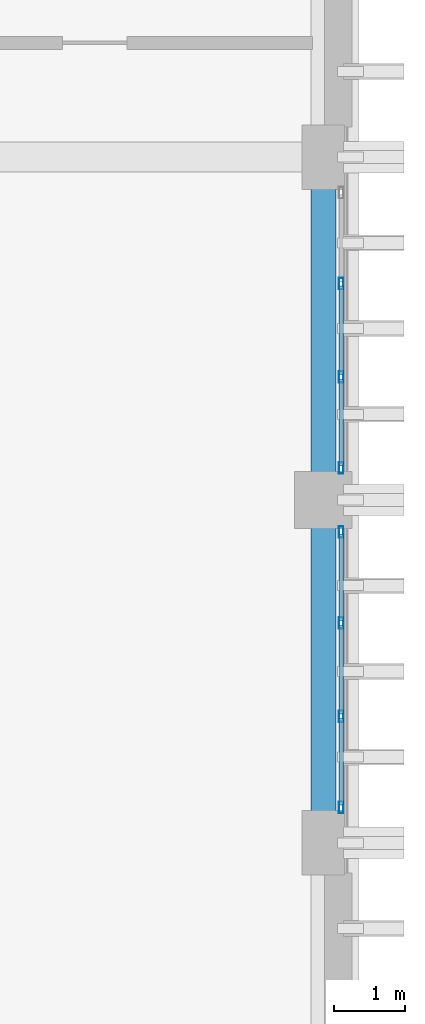
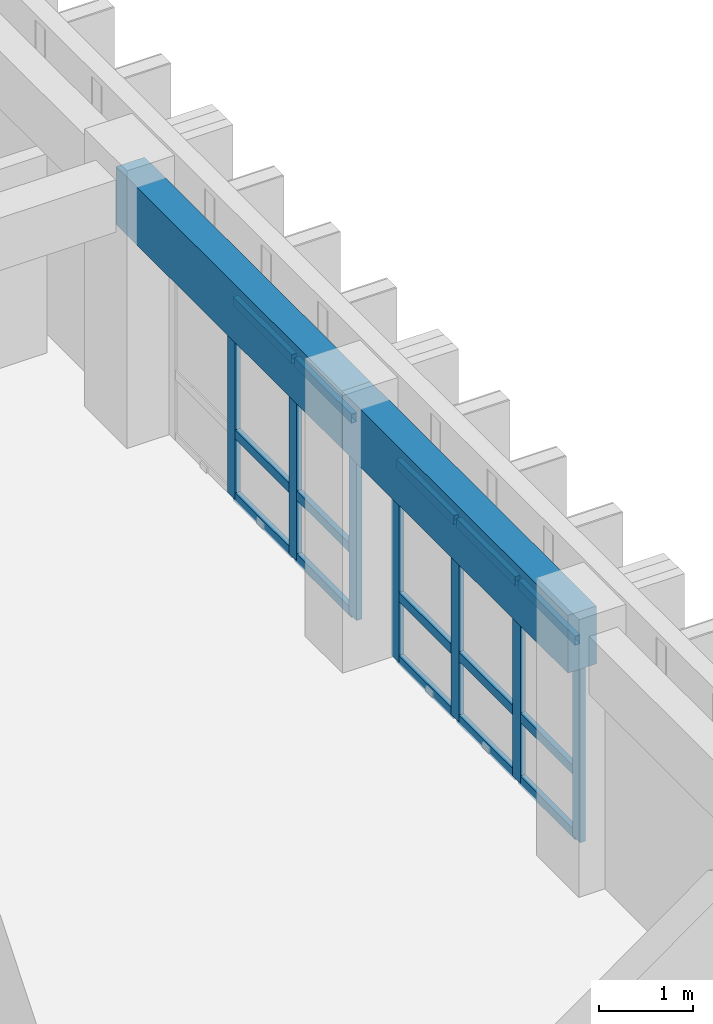
# One storey, part 12 of 82: 22 members, 2 beams, 2 elements without a shape of their own.
"""IFC4 building model written with IfcOpenShell, lengths in metres."""

import ifcopenshell
import ifcopenshell.guid

model = None  # the IFC model being written
_history = None  # IfcOwnerHistory: only IFC2X3 demands one
_inside = {}  # id of a spatial element -> (the spatial element, [elements in it])
_under = {}  # id of a project, library or spatial element -> (it, [spatial elements below it])
_declared = {}  # id of a project -> (the project, [libraries it declares])
_typed = {}  # id of a type object -> (the type object, [elements of that type])
_made_of = {}  # id of a material, layer set ... -> (it, [elements and type objects made of it])


def new_model(schema):
    """Start an empty IFC model of exactly this schema.

    Asked for "IFC4X3", IfcOpenShell would pick the latest addendum, in which some entities
    have other attributes; the version numbers below select the first issue.
    IFC2X3 requires an IfcOwnerHistory on every rooted entity: one is made here for all.
    """
    global model, _history
    if schema == "IFC4X3":
        model = ifcopenshell.file(schema_version=(4, 3, 0, 0))
    else:
        model = ifcopenshell.file(schema=schema)
    _inside.clear()
    _under.clear()
    _declared.clear()
    _typed.clear()
    _made_of.clear()
    _history = None
    if model.schema == "IFC2X3":
        org = make("IfcOrganization", Name="unknown")
        user = make(
            "IfcPersonAndOrganization",
            ThePerson=make("IfcPerson", FamilyName="unknown"),
            TheOrganization=org,
        )
        app = make(
            "IfcApplication",
            ApplicationDeveloper=org,
            Version="unknown",
            ApplicationFullName="unknown",
            ApplicationIdentifier="unknown",
        )
        _history = make(
            "IfcOwnerHistory",
            OwningUser=user,
            OwningApplication=app,
            ChangeAction="ADDED",
            CreationDate=0,
        )
    return model


def make(cls, **values):
    """One entity of the class cls with the attributes given. An attribute that is None is left unset."""
    return model.create_entity(
        cls, **{name: value for name, value in values.items() if value is not None}
    )


def rooted(cls, **values):
    """An entity with a GlobalId (a new one), such as an element, a storey or a relation."""
    return make(cls, GlobalId=ifcopenshell.guid.new(), OwnerHistory=_history, **values)


def si_unit(unit_type, name, prefix=None):
    """IfcSIUnit, for example si_unit("LENGTHUNIT", "METRE", prefix="MILLI")."""
    return make("IfcSIUnit", UnitType=unit_type, Prefix=prefix, Name=name)


def assignment(units):
    """IfcUnitAssignment: the units of a project."""
    return None if units is None else make("IfcUnitAssignment", Units=units)


def point(xyz):
    """IfcCartesianPoint."""
    return None if xyz is None else make("IfcCartesianPoint", Coordinates=xyz)


def direction(xyz):
    """IfcDirection."""
    return None if xyz is None else make("IfcDirection", DirectionRatios=xyz)


def frame(location, z_axis=None, x_axis=None):
    """IfcAxis2Placement3D, a coordinate frame: its origin and axes. An axis left out is left unset."""
    return make(
        "IfcAxis2Placement3D",
        Location=point(location),
        Axis=direction(z_axis),
        RefDirection=direction(x_axis),
    )


def frame_2d(location, x_axis=None):
    """IfcAxis2Placement2D, a coordinate frame in the plane: its origin and x axis."""
    return make(
        "IfcAxis2Placement2D", Location=point(location), RefDirection=direction(x_axis)
    )


def origin():
    """The frame at (0, 0, 0) with its axes left unset."""
    return frame((0.0, 0.0, 0.0))


def origin_2d():
    """The frame at (0, 0) in the plane with its x axis left unset."""
    return frame_2d((0.0, 0.0))


def place(relative_to, where):
    """IfcLocalPlacement: puts the frame where relative to a parent placement (None: the world)."""
    return make(
        "IfcLocalPlacement", PlacementRelTo=relative_to, RelativePlacement=where
    )


def context(
    kind, dimensions, precision=None, world=None, true_north=None, identifier=None
):
    """IfcGeometricRepresentationContext, for example the 3D "Model" context."""
    return make(
        "IfcGeometricRepresentationContext",
        ContextIdentifier=identifier,
        ContextType=kind,
        CoordinateSpaceDimension=dimensions,
        Precision=precision,
        WorldCoordinateSystem=world,
        TrueNorth=true_north,
    )


def subcontext(parent, identifier, kind, view, scale=None):
    """IfcGeometricRepresentationSubContext, for example "Body" below "Model"."""
    return make(
        "IfcGeometricRepresentationSubContext",
        ContextIdentifier=identifier,
        ContextType=kind,
        ParentContext=parent,
        TargetScale=scale,
        TargetView=view,
    )


def project(units=None, contexts=None):
    """IfcProject with its units and contexts."""
    return rooted(
        "IfcProject",
        Name="project",
        RepresentationContexts=contexts,
        UnitsInContext=assignment(units),
    )


def spatial(cls, under=None, at=None, **own):
    """A site, building, storey or space (cls), placed at a placement, below another one or the project."""
    s = rooted(cls, ObjectPlacement=at, **own)
    if under is not None:
        _under.setdefault(under.id(), (under, []))[1].append(s)
    return s


def profile(cls, at=None, kind="AREA", **sizes):
    """A parametric profile (cls). Its sizes go by their IFC names, for example OverallWidth=200.0."""
    return make(cls, ProfileType=kind, Position=at, **sizes)


def rectangle(**sizes):
    """IfcRectangleProfileDef."""
    return profile("IfcRectangleProfileDef", **sizes)


def hollow_rectangle(**sizes):
    """IfcRectangleHollowProfileDef."""
    return profile("IfcRectangleHollowProfileDef", **sizes)


def extrude(swept, where, along, depth):
    """IfcExtrudedAreaSolid: the profile swept, set in the frame where, extruded along a direction by depth."""
    return make(
        "IfcExtrudedAreaSolid",
        SweptArea=swept,
        Position=where,
        ExtrudedDirection=direction(along),
        Depth=depth,
    )


def shape(context_of_items, identifier, shape_type, items):
    """IfcShapeRepresentation: the items that make up one representation, for example the "Body"."""
    return make(
        "IfcShapeRepresentation",
        ContextOfItems=context_of_items,
        RepresentationIdentifier=identifier,
        RepresentationType=shape_type,
        Items=items,
    )


def material(Name=None, Category=None):
    """IfcMaterial."""
    return make("IfcMaterial", Name=Name, Category=Category)


def layer(
    of_material, thickness, ventilated=None, Name=None, Category=None, Priority=None
):
    """IfcMaterialLayer: one layer of a wall or slab, of a material (None: an air gap)."""
    return make(
        "IfcMaterialLayer",
        Material=of_material,
        LayerThickness=thickness,
        IsVentilated=ventilated,
        Name=Name,
        Category=Category,
        Priority=Priority,
    )


def layer_set(layers, Name=None):
    """IfcMaterialLayerSet."""
    return make("IfcMaterialLayerSet", MaterialLayers=layers, LayerSetName=Name)


def material_profile(
    of_material, cross_section, Name=None, Category=None, Priority=None
):
    """IfcMaterialProfile: a cross section and its material."""
    return make(
        "IfcMaterialProfile",
        Name=Name,
        Material=of_material,
        Profile=cross_section,
        Priority=Priority,
        Category=Category,
    )


def profile_set(profiles, Name=None, composite=None):
    """IfcMaterialProfileSet."""
    return make(
        "IfcMaterialProfileSet",
        Name=Name,
        MaterialProfiles=profiles,
        CompositeProfile=composite,
    )


def made_of(thing, what):
    """Note that an element or type object is made of a material, layer set ...; save() writes the relation."""
    if what is not None:
        _made_of.setdefault(what.id(), (what, []))[1].append(thing)
    return thing


def type_object(cls, material=None, **own):
    """A type object (cls), such as IfcWallType, which elements share."""
    return made_of(rooted(cls, **own), material)


def element(
    cls,
    number,
    at=None,
    inside=None,
    cuts=None,
    type_object=None,
    material=None,
    context=None,
    identifier="Body",
    shape_type=None,
    held_by="IfcProductDefinitionShape",
    body=None,
    shapes=None,
    **own,
):
    """One element of the class cls, such as IfcWall. Its Tag is "e" and its number.

    at: its placement. inside: the storey or other place that contains it. cuts: it is an
    opening in that element (IfcRelVoidsElement). A single representation is given by context,
    identifier, shape_type and body (its items); several are given by shapes. held_by: the class
    of the entity that holds the representations. save() writes the other relations.
    """
    e = rooted(cls, Tag="e%d" % number, ObjectPlacement=at, **own)
    if body is not None:
        shapes = [shape(context, identifier, shape_type, body)]
    if shapes is not None:
        e.Representation = make(held_by, Representations=shapes)
    if inside is not None:
        _inside.setdefault(inside.id(), (inside, []))[1].append(e)
    if cuts is not None:
        rooted(
            "IfcRelVoidsElement", RelatingBuildingElement=cuts, RelatedOpeningElement=e
        )
    if type_object is not None:
        _typed.setdefault(type_object.id(), (type_object, []))[1].append(e)
    return made_of(e, material)


def aggregate(whole, parts):
    """IfcRelAggregates: a whole, such as a stair, and the parts it consists of."""
    return rooted("IfcRelAggregates", RelatingObject=whole, RelatedObjects=parts)


def save(model, path):
    """Write the relations noted so far, then the file.

    IfcRelAggregates (storeys below a building ...), IfcRelContainedInSpatialStructure (elements
    in a storey), IfcRelDefinesByType, IfcRelAssociatesMaterial and IfcRelDeclares: one each for
    every whole, place, type object, material and project.
    """
    for whole, parts in _under.values():
        aggregate(whole, parts)
    for where, things in _inside.values():
        rooted(
            "IfcRelContainedInSpatialStructure",
            RelatedElements=things,
            RelatingStructure=where,
        )
    for kind, things in _typed.values():
        rooted("IfcRelDefinesByType", RelatedObjects=things, RelatingType=kind)
    for what, things in _made_of.values():
        rooted("IfcRelAssociatesMaterial", RelatedObjects=things, RelatingMaterial=what)
    for by, libraries in _declared.values():
        rooted("IfcRelDeclares", RelatingContext=by, RelatedDefinitions=libraries)
    model.write(path)


model = new_model("IFC4")

# Units and contexts
model_context = context("Model", 3, precision=1e-05, world=origin(), true_north=direction((0.0, 1.0)))
body_context = subcontext(model_context, "Body", "Model", "MODEL_VIEW")
ifc_project = project(units=[si_unit("LENGTHUNIT", "METRE"), si_unit("AREAUNIT", "SQUARE_METRE"), si_unit("VOLUMEUNIT", "CUBIC_METRE"), si_unit("PLANEANGLEUNIT", "RADIAN"), si_unit("MASSUNIT", "GRAM", prefix="KILO")], contexts=[model_context])

# Site, building, storey
site_placement = place(None, origin())
site = spatial("IfcSite", under=ifc_project, at=site_placement, CompositionType="ELEMENT")
building_placement = place(site_placement, origin())
building = spatial("IfcBuilding", under=site, at=building_placement, Name="Nakhvara Creek Congress Hotel", CompositionType="ELEMENT")
storey_placement = place(building_placement, frame((0.0, 0.0, 21.0)))
storey = spatial("IfcBuildingStorey", under=building, at=storey_placement, Name="L04", CompositionType="ELEMENT", Elevation=21.0)

# Beams
ifc_material_1 = material(Name="Concrete C40/50", Category="concrete")
ifc_material_profile_1 = material_profile(ifc_material_1, rectangle(XDim=0.35009765625, YDim=0.75, at=origin_2d()), Name="RC-SPANDREL 350x750", Category="LoadBearing")
ifc_profile_set_1 = profile_set([ifc_material_profile_1], Name="Concrete C40/50")
beam_type = type_object("IfcBeamType", Name="BM-SPN-350X750", PredefinedType="SPANDREL", material=ifc_profile_set_1)
beam_1_placement = place(storey_placement, frame((179.35009765625, 33.60009765625, 2.965087890625), z_axis=(0.0, 1.0, 0.0), x_axis=(-1.0, 0.0, 0.0)))
element("IfcBeam", 1, at=beam_1_placement, inside=storey, type_object=beam_type, Name="Beam SP1-L04-2010", PredefinedType="SPANDREL", context=body_context, shape_type="SweptSolid", body=[
    extrude(rectangle(XDim=0.35009765625, YDim=0.75, at=origin_2d()), origin(), (0.0, 0.0, 1.0), 4.7998046875),
])
beam_2_placement = place(storey_placement, frame((179.35009765625, 38.39990234375, 2.965087890625), z_axis=(0.0, 1.0, 0.0), x_axis=(-1.0, 0.0, 0.0)))
element("IfcBeam", 2, at=beam_2_placement, inside=storey, type_object=beam_type, Name="Beam SP1-L04-2011", PredefinedType="SPANDREL", context=body_context, shape_type="SweptSolid", body=[
    extrude(rectangle(XDim=0.35009765625, YDim=0.75, at=origin_2d()), origin(), (0.0, 0.0, 1.0), 4.800048828125),
])

# Curtain wall, members
ifc_material_2 = material(Name="Bronze-anodised aluminium AW-6063-T6 and double-silver low-E glass", Category="aluminium")
ifc_layer = layer(ifc_material_2, 0.199951171875)
ifc_layer_set = layer_set([ifc_layer], Name="Bronze-anodised aluminium AW-6063-T6 and double-silver low-E glass")
curtain_wall_type = type_object("IfcCurtainWallType", Name="CW-HTL-UNIT", PredefinedType="USERDEFINED", material=ifc_layer_set)
curtain_wall_1_placement = place(storey_placement, origin())
curtain_wall_1 = element("IfcCurtainWall", 3, at=curtain_wall_1_placement, inside=storey, type_object=curtain_wall_type, Name="Curtain Wall CW176", ObjectType="UNITISED", PredefinedType="USERDEFINED")
ifc_material_3 = material(Name="Bronze-anodised aluminium AW-6063-T6", Category="aluminium")
ifc_material_profile_2 = material_profile(ifc_material_3, hollow_rectangle(XDim=0.06494140625, YDim=0.159912109375, WallThickness=0.00390625, at=origin_2d()), Name="ALU-MULL 65x160x4", Category="LoadBearing")
ifc_profile_set_2 = profile_set([ifc_material_profile_2], Name="Bronze-anodised aluminium AW-6063-T6")
member_type_1 = type_object("IfcMemberType", Name="CW-MULL-160", PredefinedType="MULLION", material=ifc_profile_set_2)
member_1_placement = place(storey_placement, frame((179.60009765625, 37.952392578125, 0.0), z_axis=(0.0, 0.0, 1.0), x_axis=(1.0, 0.0, 0.0)))
member_1 = element("IfcMember", 4, at=member_1_placement, type_object=member_type_1, Name="CW176 mullion 1", PredefinedType="MULLION", context=body_context, shape_type="SweptSolid", body=[
    extrude(hollow_rectangle(XDim=0.06494140625, YDim=0.159912109375, WallThickness=0.00390625, at=origin_2d()), origin(), (0.0, 0.0, 1.0), 2.58203125),
])
member_2_placement = place(storey_placement, frame((179.60009765625, 36.67822265625, 0.0), z_axis=(0.0, 0.0, 1.0), x_axis=(1.0, 0.0, 0.0)))
member_2 = element("IfcMember", 5, at=member_2_placement, type_object=member_type_1, Name="CW176 mullion 2", PredefinedType="MULLION", context=body_context, shape_type="SweptSolid", body=[
    extrude(hollow_rectangle(XDim=0.06494140625, YDim=0.159912109375, WallThickness=0.00390625, at=origin_2d()), origin(), (0.0, 0.0, 1.0), 2.58203125),
])
member_3_placement = place(storey_placement, frame((179.60009765625, 35.37158203125, 0.0), z_axis=(0.0, 0.0, 1.0), x_axis=(1.0, 0.0, 0.0)))
member_3 = element("IfcMember", 6, at=member_3_placement, type_object=member_type_1, Name="CW176 mullion 3", PredefinedType="MULLION", context=body_context, shape_type="SweptSolid", body=[
    extrude(hollow_rectangle(XDim=0.06494140625, YDim=0.159912109375, WallThickness=0.00390625, at=origin_2d()), origin(), (0.0, 0.0, 1.0), 2.58203125),
])
member_4_placement = place(storey_placement, frame((179.60009765625, 34.097412109375, 0.0), z_axis=(0.0, 0.0, 1.0), x_axis=(1.0, 0.0, 0.0)))
member_4 = element("IfcMember", 7, at=member_4_placement, type_object=member_type_1, Name="CW176 mullion 4", PredefinedType="MULLION", context=body_context, shape_type="SweptSolid", body=[
    extrude(hollow_rectangle(XDim=0.06494140625, YDim=0.159912109375, WallThickness=0.00390625, at=origin_2d()), origin(), (0.0, 0.0, 1.0), 2.58203125),
])

curtain_wall_2_placement = place(storey_placement, origin())
curtain_wall_2 = element("IfcCurtainWall", 8, at=curtain_wall_2_placement, inside=storey, type_object=curtain_wall_type, Name="Curtain Wall CW178", ObjectType="UNITISED", PredefinedType="USERDEFINED")
member_5_placement = place(storey_placement, frame((179.60009765625, 41.42822265625, 0.0), z_axis=(0.0, 0.0, 1.0), x_axis=(1.0, 0.0, 0.0)))
member_5 = element("IfcMember", 9, at=member_5_placement, type_object=member_type_1, Name="CW178 mullion 2", PredefinedType="MULLION", context=body_context, shape_type="SweptSolid", body=[
    extrude(hollow_rectangle(XDim=0.06494140625, YDim=0.159912109375, WallThickness=0.00390625, at=origin_2d()), origin(), (0.0, 0.0, 1.0), 2.58203125),
])
member_6_placement = place(storey_placement, frame((179.60009765625, 40.12158203125, 0.0), z_axis=(0.0, 0.0, 1.0), x_axis=(1.0, 0.0, 0.0)))
member_6 = element("IfcMember", 10, at=member_6_placement, type_object=member_type_1, Name="CW178 mullion 3", PredefinedType="MULLION", context=body_context, shape_type="SweptSolid", body=[
    extrude(hollow_rectangle(XDim=0.06494140625, YDim=0.159912109375, WallThickness=0.00390625, at=origin_2d()), origin(), (0.0, 0.0, 1.0), 2.58203125),
])
member_7_placement = place(storey_placement, frame((179.60009765625, 38.847412109375, 0.0), z_axis=(0.0, 0.0, 1.0), x_axis=(1.0, 0.0, 0.0)))
member_7 = element("IfcMember", 11, at=member_7_placement, type_object=member_type_1, Name="CW178 mullion 4", PredefinedType="MULLION", context=body_context, shape_type="SweptSolid", body=[
    extrude(hollow_rectangle(XDim=0.06494140625, YDim=0.159912109375, WallThickness=0.00390625, at=origin_2d()), origin(), (0.0, 0.0, 1.0), 2.58203125),
])

# Member
ifc_material_profile_3 = material_profile(ifc_material_3, hollow_rectangle(XDim=0.06494140625, YDim=0.1201171875, WallThickness=0.00390625, at=origin_2d()), Name="ALU-TRAN 65x120x4", Category="LoadBearing")
ifc_profile_set_3 = profile_set([ifc_material_profile_3], Name="Bronze-anodised aluminium AW-6063-T6")
member_type_2 = type_object("IfcMemberType", Name="CW-TRAN-120", PredefinedType="USERDEFINED", material=ifc_profile_set_3)
member_8_placement = place(storey_placement, frame((179.60009765625, 37.919921875, 0.032470703125), z_axis=(0.0, -1.0, 0.0), x_axis=(1.0, 0.0, 0.0)))
member_8 = element("IfcMember", 12, at=member_8_placement, type_object=member_type_2, Name="CW176 transom 1.1", ObjectType="TRANSOM", PredefinedType="USERDEFINED", context=body_context, shape_type="SweptSolid", body=[
    extrude(hollow_rectangle(XDim=0.06494140625, YDim=0.1201171875, WallThickness=0.00390625, at=origin_2d()), origin(), (0.0, 0.0, 1.0), 1.208984375),
])

member_9_placement = place(storey_placement, frame((179.60009765625, 37.919921875, 0.85009765625), z_axis=(0.0, -1.0, 0.0), x_axis=(1.0, 0.0, 0.0)))
member_9 = element("IfcMember", 13, at=member_9_placement, type_object=member_type_2, Name="CW176 transom 1.2", ObjectType="TRANSOM", PredefinedType="USERDEFINED", context=body_context, shape_type="SweptSolid", body=[
    extrude(hollow_rectangle(XDim=0.06494140625, YDim=0.1201171875, WallThickness=0.00390625, at=origin_2d()), origin(), (0.0, 0.0, 1.0), 1.208984375),
])

member_10_placement = place(storey_placement, frame((179.60009765625, 37.919921875, 2.549560546875), z_axis=(0.0, -1.0, 0.0), x_axis=(1.0, 0.0, 0.0)))
member_10 = element("IfcMember", 14, at=member_10_placement, type_object=member_type_2, Name="CW176 transom 1.3", ObjectType="TRANSOM", PredefinedType="USERDEFINED", context=body_context, shape_type="SweptSolid", body=[
    extrude(hollow_rectangle(XDim=0.06494140625, YDim=0.1201171875, WallThickness=0.00390625, at=origin_2d()), origin(), (0.0, 0.0, 1.0), 1.208984375),
])

member_11_placement = place(storey_placement, frame((179.60009765625, 36.645751953125, 0.032470703125), z_axis=(0.0, -1.0, 0.0), x_axis=(1.0, 0.0, 0.0)))
member_11 = element("IfcMember", 15, at=member_11_placement, type_object=member_type_2, Name="CW176 transom 2.1", ObjectType="TRANSOM", PredefinedType="USERDEFINED", context=body_context, shape_type="SweptSolid", body=[
    extrude(hollow_rectangle(XDim=0.06494140625, YDim=0.1201171875, WallThickness=0.00390625, at=origin_2d()), origin(), (0.0, 0.0, 1.0), 1.24169921875),
])

member_12_placement = place(storey_placement, frame((179.60009765625, 36.645751953125, 0.85009765625), z_axis=(0.0, -1.0, 0.0), x_axis=(1.0, 0.0, 0.0)))
member_12 = element("IfcMember", 16, at=member_12_placement, type_object=member_type_2, Name="CW176 transom 2.2", ObjectType="TRANSOM", PredefinedType="USERDEFINED", context=body_context, shape_type="SweptSolid", body=[
    extrude(hollow_rectangle(XDim=0.06494140625, YDim=0.1201171875, WallThickness=0.00390625, at=origin_2d()), origin(), (0.0, 0.0, 1.0), 1.24169921875),
])

member_13_placement = place(storey_placement, frame((179.60009765625, 36.645751953125, 2.549560546875), z_axis=(0.0, -1.0, 0.0), x_axis=(1.0, 0.0, 0.0)))
member_13 = element("IfcMember", 17, at=member_13_placement, type_object=member_type_2, Name="CW176 transom 2.3", ObjectType="TRANSOM", PredefinedType="USERDEFINED", context=body_context, shape_type="SweptSolid", body=[
    extrude(hollow_rectangle(XDim=0.06494140625, YDim=0.1201171875, WallThickness=0.00390625, at=origin_2d()), origin(), (0.0, 0.0, 1.0), 1.24169921875),
])

member_14_placement = place(storey_placement, frame((179.60009765625, 35.339111328125, 0.032470703125), z_axis=(0.0, -1.0, 0.0), x_axis=(1.0, 0.0, 0.0)))
member_14 = element("IfcMember", 18, at=member_14_placement, type_object=member_type_2, Name="CW176 transom 3.1", ObjectType="TRANSOM", PredefinedType="USERDEFINED", context=body_context, shape_type="SweptSolid", body=[
    extrude(hollow_rectangle(XDim=0.06494140625, YDim=0.1201171875, WallThickness=0.00390625, at=origin_2d()), origin(), (0.0, 0.0, 1.0), 1.209228515625),
])

member_15_placement = place(storey_placement, frame((179.60009765625, 35.339111328125, 0.85009765625), z_axis=(0.0, -1.0, 0.0), x_axis=(1.0, 0.0, 0.0)))
member_15 = element("IfcMember", 19, at=member_15_placement, type_object=member_type_2, Name="CW176 transom 3.2", ObjectType="TRANSOM", PredefinedType="USERDEFINED", context=body_context, shape_type="SweptSolid", body=[
    extrude(hollow_rectangle(XDim=0.06494140625, YDim=0.1201171875, WallThickness=0.00390625, at=origin_2d()), origin(), (0.0, 0.0, 1.0), 1.209228515625),
])

member_16_placement = place(storey_placement, frame((179.60009765625, 35.339111328125, 2.549560546875), z_axis=(0.0, -1.0, 0.0), x_axis=(1.0, 0.0, 0.0)))
member_16 = element("IfcMember", 20, at=member_16_placement, type_object=member_type_2, Name="CW176 transom 3.3", ObjectType="TRANSOM", PredefinedType="USERDEFINED", context=body_context, shape_type="SweptSolid", body=[
    extrude(hollow_rectangle(XDim=0.06494140625, YDim=0.1201171875, WallThickness=0.00390625, at=origin_2d()), origin(), (0.0, 0.0, 1.0), 1.209228515625),
])

aggregate(curtain_wall_1, [member_1, member_2, member_3, member_4, member_8, member_9, member_10, member_11, member_12, member_13, member_14, member_15, member_16])

member_17_placement = place(storey_placement, frame((179.60009765625, 41.395751953125, 0.032470703125), z_axis=(0.0, -1.0, 0.0), x_axis=(1.0, 0.0, 0.0)))
member_17 = element("IfcMember", 21, at=member_17_placement, type_object=member_type_2, Name="CW178 transom 2.1", ObjectType="TRANSOM", PredefinedType="USERDEFINED", context=body_context, shape_type="SweptSolid", body=[
    extrude(hollow_rectangle(XDim=0.06494140625, YDim=0.1201171875, WallThickness=0.00390625, at=origin_2d()), origin(), (0.0, 0.0, 1.0), 1.24169921875),
])

member_18_placement = place(storey_placement, frame((179.60009765625, 41.395751953125, 0.85009765625), z_axis=(0.0, -1.0, 0.0), x_axis=(1.0, 0.0, 0.0)))
member_18 = element("IfcMember", 22, at=member_18_placement, type_object=member_type_2, Name="CW178 transom 2.2", ObjectType="TRANSOM", PredefinedType="USERDEFINED", context=body_context, shape_type="SweptSolid", body=[
    extrude(hollow_rectangle(XDim=0.06494140625, YDim=0.1201171875, WallThickness=0.00390625, at=origin_2d()), origin(), (0.0, 0.0, 1.0), 1.24169921875),
])

member_19_placement = place(storey_placement, frame((179.60009765625, 41.395751953125, 2.549560546875), z_axis=(0.0, -1.0, 0.0), x_axis=(1.0, 0.0, 0.0)))
member_19 = element("IfcMember", 23, at=member_19_placement, type_object=member_type_2, Name="CW178 transom 2.3", ObjectType="TRANSOM", PredefinedType="USERDEFINED", context=body_context, shape_type="SweptSolid", body=[
    extrude(hollow_rectangle(XDim=0.06494140625, YDim=0.1201171875, WallThickness=0.00390625, at=origin_2d()), origin(), (0.0, 0.0, 1.0), 1.24169921875),
])

member_20_placement = place(storey_placement, frame((179.60009765625, 40.089111328125, 0.032470703125), z_axis=(0.0, -1.0, 0.0), x_axis=(1.0, 0.0, 0.0)))
member_20 = element("IfcMember", 24, at=member_20_placement, type_object=member_type_2, Name="CW178 transom 3.1", ObjectType="TRANSOM", PredefinedType="USERDEFINED", context=body_context, shape_type="SweptSolid", body=[
    extrude(hollow_rectangle(XDim=0.06494140625, YDim=0.1201171875, WallThickness=0.00390625, at=origin_2d()), origin(), (0.0, 0.0, 1.0), 1.209228515625),
])

member_21_placement = place(storey_placement, frame((179.60009765625, 40.089111328125, 0.85009765625), z_axis=(0.0, -1.0, 0.0), x_axis=(1.0, 0.0, 0.0)))
member_21 = element("IfcMember", 25, at=member_21_placement, type_object=member_type_2, Name="CW178 transom 3.2", ObjectType="TRANSOM", PredefinedType="USERDEFINED", context=body_context, shape_type="SweptSolid", body=[
    extrude(hollow_rectangle(XDim=0.06494140625, YDim=0.1201171875, WallThickness=0.00390625, at=origin_2d()), origin(), (0.0, 0.0, 1.0), 1.209228515625),
])

member_22_placement = place(storey_placement, frame((179.60009765625, 40.089111328125, 2.549560546875), z_axis=(0.0, -1.0, 0.0), x_axis=(1.0, 0.0, 0.0)))
member_22 = element("IfcMember", 26, at=member_22_placement, type_object=member_type_2, Name="CW178 transom 3.3", ObjectType="TRANSOM", PredefinedType="USERDEFINED", context=body_context, shape_type="SweptSolid", body=[
    extrude(hollow_rectangle(XDim=0.06494140625, YDim=0.1201171875, WallThickness=0.00390625, at=origin_2d()), origin(), (0.0, 0.0, 1.0), 1.209228515625),
])

aggregate(curtain_wall_2, [member_5, member_6, member_7, member_17, member_18, member_19, member_20, member_21, member_22])

save(model, "model.ifc")
